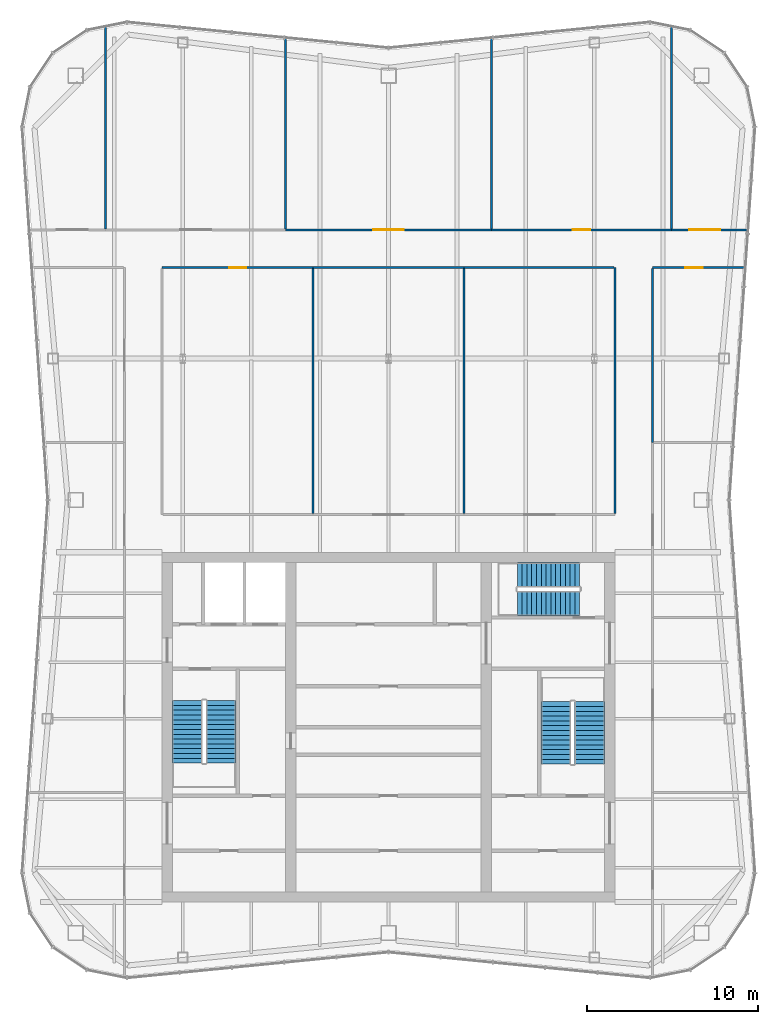
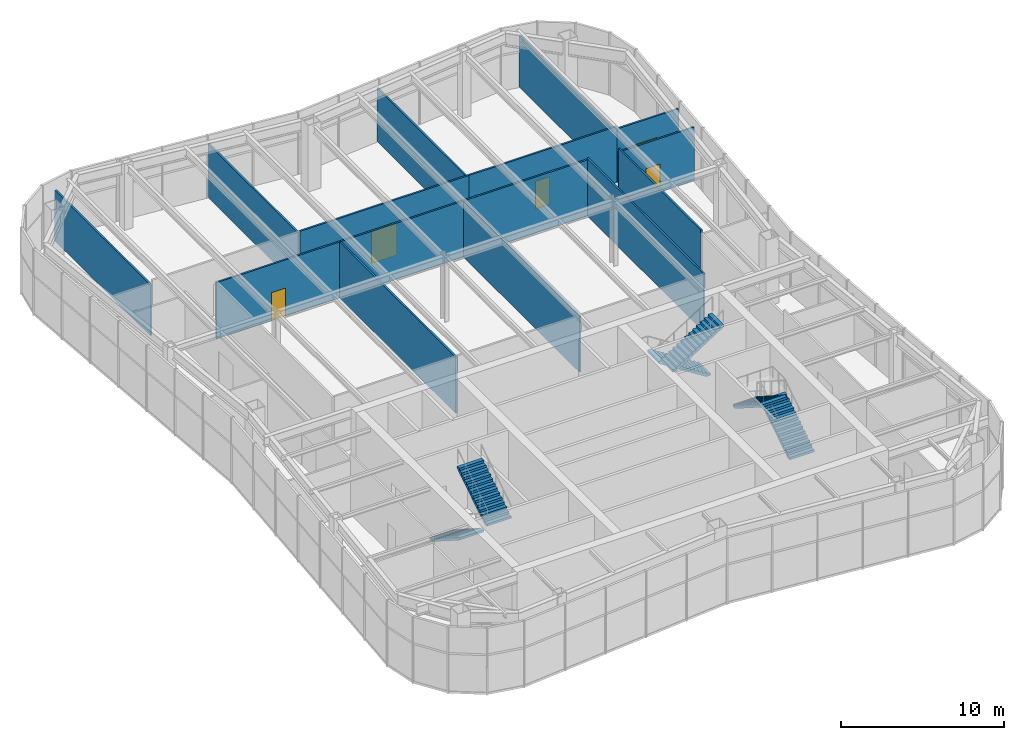
# One storey, part 11 of 13: 15 walls, 6 stair flights, 5 doors, 5 openings, 3 elements without a shape of their own.
"""IFC4 building model written with IfcOpenShell, lengths in metres."""

from ifc_helpers import new_model, si_unit, direction, frame, frame_2d, origin, place, context, subcontext, project, spatial, polyline, rectangle, outline, extrude, material, layer, layer_set, type_object, element, fill, aggregate, save


model = new_model("IFC4")

# Units and contexts
model_context = context("Model", 3, precision=1e-05, world=origin(), true_north=direction((0.0, 1.0)))
body_context = subcontext(model_context, "Body", "Model", "MODEL_VIEW")
ifc_project = project(units=[si_unit("LENGTHUNIT", "METRE"), si_unit("AREAUNIT", "SQUARE_METRE"), si_unit("VOLUMEUNIT", "CUBIC_METRE"), si_unit("PLANEANGLEUNIT", "RADIAN"), si_unit("MASSUNIT", "GRAM", prefix="KILO")], contexts=[model_context])

# Site, building, storey
site_placement = place(None, origin())
site = spatial("IfcSite", under=ifc_project, at=site_placement, CompositionType="ELEMENT")
building_placement = place(site_placement, origin())
building = spatial("IfcBuilding", under=site, at=building_placement, Name="Verdant Reach Tower", CompositionType="ELEMENT")
storey_placement = place(building_placement, frame((0.0, 0.0, 354.5)))
storey = spatial("IfcBuildingStorey", under=building, at=storey_placement, Name="L80 Plant", CompositionType="ELEMENT", Elevation=354.5)

# Wall, opening, door
ifc_material_1 = material(Name="Gypsum board on steel studs, fire rated", Category="steel")
ifc_layer = layer(ifc_material_1, 0.125)
ifc_layer_set = layer_set([ifc_layer], Name="SV-W2 Plant wall 125 EI 60")
wall_type = type_object("IfcWallType", Name="SV-W2 Plant wall 125 EI 60", PredefinedType="PARTITIONING", material=ifc_layer_set)
wall_1_placement = place(storey_placement, frame((-4.39990234375, 54.800048828125, 0.0), z_axis=(0.0, 0.0, 1.0), x_axis=(-1.0, 0.0, 0.0)))
wall_1 = element("IfcWall", 1, at=wall_1_placement, inside=storey, type_object=wall_type, Name="Partition L80.01", PredefinedType="PARTITIONING", context=body_context, shape_type="SweptSolid", body=[
    extrude(rectangle(XDim=8.800048828125, YDim=0.125, at=frame_2d((4.39990234375, 0.0))), origin(), (0.0, 0.0, 1.0), 4.219970703125),
])
opening_1_placement = place(wall_1_placement, frame((3.89990234375, 0.0, 0.0)))
opening_1 = element("IfcOpeningElement", 2, at=opening_1_placement, cuts=wall_1, Name="Opening SD4", PredefinedType="OPENING", context=body_context, shape_type="SweptSolid", body=[
    extrude(rectangle(XDim=1.0, YDim=2.10009765625, at=frame_2d((0.5, 1.050048828125))), frame((0.0, 0.072509765625, 0.0), z_axis=(0.0, -1.0, 0.0), x_axis=(1.0, 0.0, 0.0)), (0.0, 0.0, 1.0), 0.14501953125),
])
ifc_material_2 = material(Name="Steel door leaf, fire rated", Category="steel")
door_type_1 = type_object("IfcDoorType", Name="SV-D4 Door 1000x2100 FD120", OperationType="NOTDEFINED", PredefinedType="DOOR", material=ifc_material_2)
door_1_placement = place(opening_1_placement, origin())
door_1 = element("IfcDoor", 3, at=door_1_placement, inside=storey, type_object=door_type_1, Name="Door L80-001", OperationType="SINGLE_SWING_LEFT", OverallHeight=2.10009765625, OverallWidth=1.0, PredefinedType="DOOR", context=body_context, shape_type="SweptSolid", body=[
    extrude(rectangle(XDim=1.0, YDim=2.10009765625, at=frame_2d((0.5, 1.050048828125))), frame((0.0, 0.02490234375, 0.0), z_axis=(0.0, -1.0, 0.0), x_axis=(1.0, 0.0, 0.0)), (0.0, 0.0, 1.0), 0.050048828125),
])
fill(opening_1, door_1)

# Walls
wall_2_placement = place(storey_placement, frame((4.39990234375, 54.800048828125, 0.0), z_axis=(0.0, 0.0, 1.0), x_axis=(-1.0, 0.0, 0.0)))
element("IfcWall", 4, at=wall_2_placement, inside=storey, type_object=wall_type, Name="Partition L80.05", PredefinedType="PARTITIONING", context=body_context, shape_type="SweptSolid", body=[
    extrude(rectangle(XDim=8.7998046875, YDim=0.125, at=frame_2d((4.39990234375, 0.0))), origin(), (0.0, 0.0, 1.0), 4.219970703125),
])
wall_3_placement = place(storey_placement, frame((13.199951171875, 40.46240234375, 0.0), z_axis=(0.0, 0.0, 1.0), x_axis=(0.0, 1.0, 0.0)))
element("IfcWall", 5, at=wall_3_placement, inside=storey, type_object=wall_type, Name="Partition L80.07", PredefinedType="PARTITIONING", context=body_context, shape_type="SweptSolid", body=[
    extrude(rectangle(XDim=14.337646484375, YDim=0.125, at=frame_2d((7.1689453125, 0.0))), origin(), (0.0, 0.0, 1.0), 4.330078125),
])
wall_4_placement = place(storey_placement, frame((13.137451171875, 54.800048828125, 0.0), z_axis=(0.0, 0.0, 1.0), x_axis=(-1.0, 0.0, 0.0)))
element("IfcWall", 6, at=wall_4_placement, inside=storey, type_object=wall_type, Name="Partition L80.08", PredefinedType="PARTITIONING", context=body_context, shape_type="SweptSolid", body=[
    extrude(rectangle(XDim=8.737548828125, YDim=0.125, at=frame_2d((4.36865234375, 0.0))), origin(), (0.0, 0.0, 1.0), 4.219970703125),
])

# Wall, opening, door
wall_5_placement = place(storey_placement, frame((20.764404296875, 54.800048828125, 0.0), z_axis=(0.0, 0.0, 1.0), x_axis=(-1.0, 0.0, 0.0)))
wall_5 = element("IfcWall", 7, at=wall_5_placement, inside=storey, type_object=wall_type, Name="Partition L80.17", PredefinedType="PARTITIONING", context=body_context, shape_type="SweptSolid", body=[
    extrude(rectangle(XDim=5.364501953125, YDim=0.125, at=frame_2d((2.68212890625, 0.0))), origin(), (0.0, 0.0, 1.0), 4.02001953125),
])
opening_2_placement = place(wall_5_placement, frame((2.447998046875, 0.0, 0.0)))
opening_2 = element("IfcOpeningElement", 8, at=opening_2_placement, cuts=wall_5, Name="Opening SD4", PredefinedType="OPENING", context=body_context, shape_type="SweptSolid", body=[
    extrude(rectangle(XDim=1.0, YDim=2.10009765625, at=frame_2d((0.5, 1.050048828125))), frame((0.0, 0.072509765625, 0.0), z_axis=(0.0, -1.0, 0.0), x_axis=(1.0, 0.0, 0.0)), (0.0, 0.0, 1.0), 0.14501953125),
])
door_2_placement = place(opening_2_placement, origin())
door_2 = element("IfcDoor", 9, at=door_2_placement, inside=storey, type_object=door_type_1, Name="Door L80-011", OperationType="SINGLE_SWING_RIGHT", OverallHeight=2.10009765625, OverallWidth=1.0, PredefinedType="DOOR", context=body_context, shape_type="SweptSolid", body=[
    extrude(rectangle(XDim=1.0, YDim=2.10009765625, at=frame_2d((0.5, 1.050048828125))), frame((0.0, 0.02490234375, 0.0), z_axis=(0.0, -1.0, 0.0), x_axis=(1.0, 0.0, 0.0)), (0.0, 0.0, 1.0), 0.050048828125),
])
fill(opening_2, door_2)

# Wall
wall_6_placement = place(storey_placement, frame((15.39990234375, 54.737548828125, 0.0), z_axis=(0.0, 0.0, 1.0), x_axis=(0.0, -1.0, 0.0)))
element("IfcWall", 10, at=wall_6_placement, inside=storey, type_object=wall_type, Name="Partition L80.18", PredefinedType="PARTITIONING", context=body_context, shape_type="SweptSolid", body=[
    extrude(rectangle(XDim=10.137451171875, YDim=0.125, at=frame_2d((5.06884765625, 0.0))), origin(), (0.0, 0.0, 1.0), 4.330078125),
])

# Wall, opening, door
wall_7_placement = place(storey_placement, frame((6.0, 57.0, 0.0), z_axis=(0.0, 0.0, 1.0), x_axis=(-1.0, 0.0, 0.0)))
wall_7 = element("IfcWall", 11, at=wall_7_placement, inside=storey, type_object=wall_type, Name="Partition L80.21", PredefinedType="PARTITIONING", context=body_context, shape_type="SweptSolid", body=[
    extrude(rectangle(XDim=12.0, YDim=0.125, at=frame_2d((6.0, 0.0))), origin(), (0.0, 0.0, 1.0), 4.219970703125),
])
opening_3_placement = place(wall_7_placement, frame((5.10009765625, 0.0, 0.0)))
opening_3 = element("IfcOpeningElement", 12, at=opening_3_placement, cuts=wall_7, Name="Opening SD3", PredefinedType="OPENING", context=body_context, shape_type="SweptSolid", body=[
    extrude(rectangle(XDim=1.800048828125, YDim=2.39990234375, at=frame_2d((0.89990234375, 1.199951171875))), frame((0.0, 0.072509765625, 0.0), z_axis=(0.0, -1.0, 0.0), x_axis=(1.0, 0.0, 0.0)), (0.0, 0.0, 1.0), 0.14501953125),
])
ifc_material_3 = material(Name="Steel door leaves, fire rated", Category="steel")
door_type_2 = type_object("IfcDoorType", Name="SV-D3 Equipment door 1800x2400 FD60", OperationType="DOUBLE_DOOR_SINGLE_SWING", PredefinedType="DOOR", material=ifc_material_3)
door_3_placement = place(opening_3_placement, origin())
door_3 = element("IfcDoor", 13, at=door_3_placement, inside=storey, type_object=door_type_2, Name="Door L80-014", OperationType="DOUBLE_DOOR_SINGLE_SWING", OverallHeight=2.39990234375, OverallWidth=1.800048828125, PredefinedType="DOOR", context=body_context, shape_type="SweptSolid", body=[
    extrude(rectangle(XDim=1.800048828125, YDim=2.39990234375, at=frame_2d((0.89990234375, 1.199951171875))), frame((0.0, 0.02490234375, 0.0), z_axis=(0.0, -1.0, 0.0), x_axis=(1.0, 0.0, 0.0)), (0.0, 0.0, 1.0), 0.050048828125),
])
fill(opening_3, door_3)

wall_8_placement = place(storey_placement, frame((16.5, 57.0, 0.0), z_axis=(0.0, 0.0, 1.0), x_axis=(-1.0, 0.0, 0.0)))
wall_8 = element("IfcWall", 14, at=wall_8_placement, inside=storey, type_object=wall_type, Name="Partition L80.22", PredefinedType="PARTITIONING", context=body_context, shape_type="SweptSolid", body=[
    extrude(rectangle(XDim=10.5, YDim=0.125, at=frame_2d((5.25, 0.0))), origin(), (0.0, 0.0, 1.0), 4.219970703125),
])
opening_4_placement = place(wall_8_placement, frame((4.75, 0.0, 0.0)))
opening_4 = element("IfcOpeningElement", 15, at=opening_4_placement, cuts=wall_8, Name="Opening SD4", PredefinedType="OPENING", context=body_context, shape_type="SweptSolid", body=[
    extrude(rectangle(XDim=1.0, YDim=2.10009765625, at=frame_2d((0.5, 1.050048828125))), frame((0.0, 0.072509765625, 0.0), z_axis=(0.0, -1.0, 0.0), x_axis=(1.0, 0.0, 0.0)), (0.0, 0.0, 1.0), 0.14501953125),
])
door_4_placement = place(opening_4_placement, origin())
door_4 = element("IfcDoor", 16, at=door_4_placement, inside=storey, type_object=door_type_1, Name="Door L80-015", OperationType="SINGLE_SWING_LEFT", OverallHeight=2.10009765625, OverallWidth=1.0, PredefinedType="DOOR", context=body_context, shape_type="SweptSolid", body=[
    extrude(rectangle(XDim=1.0, YDim=2.10009765625, at=frame_2d((0.5, 1.050048828125))), frame((0.0, 0.02490234375, 0.0), z_axis=(0.0, -1.0, 0.0), x_axis=(1.0, 0.0, 0.0)), (0.0, 0.0, 1.0), 0.050048828125),
])
fill(opening_4, door_4)

wall_9_placement = place(storey_placement, frame((20.916259765625, 57.0, 0.0), z_axis=(0.0, 0.0, 1.0), x_axis=(-1.0, 0.0, 0.0)))
wall_9 = element("IfcWall", 17, at=wall_9_placement, inside=storey, type_object=wall_type, Name="Partition L80.23", PredefinedType="PARTITIONING", context=body_context, shape_type="SweptSolid", body=[
    extrude(rectangle(XDim=4.416259765625, YDim=0.125, at=frame_2d((2.2080078125, 0.0))), origin(), (0.0, 0.0, 1.0), 4.02001953125),
])
opening_5_placement = place(wall_9_placement, frame((1.57373046875, 0.0, 0.0)))
opening_5 = element("IfcOpeningElement", 18, at=opening_5_placement, cuts=wall_9, Name="Opening SD3", PredefinedType="OPENING", context=body_context, shape_type="SweptSolid", body=[
    extrude(rectangle(XDim=1.800048828125, YDim=2.39990234375, at=frame_2d((0.89990234375, 1.199951171875))), frame((0.0, 0.072509765625, 0.0), z_axis=(0.0, -1.0, 0.0), x_axis=(1.0, 0.0, 0.0)), (0.0, 0.0, 1.0), 0.14501953125),
])
door_5_placement = place(opening_5_placement, origin())
door_5 = element("IfcDoor", 19, at=door_5_placement, inside=storey, type_object=door_type_2, Name="Door L80-016", OperationType="DOUBLE_DOOR_SINGLE_SWING", OverallHeight=2.39990234375, OverallWidth=1.800048828125, PredefinedType="DOOR", context=body_context, shape_type="SweptSolid", body=[
    extrude(rectangle(XDim=1.800048828125, YDim=2.39990234375, at=frame_2d((0.89990234375, 1.199951171875))), frame((0.0, 0.02490234375, 0.0), z_axis=(0.0, -1.0, 0.0), x_axis=(1.0, 0.0, 0.0)), (0.0, 0.0, 1.0), 0.050048828125),
])
fill(opening_5, door_5)

# Walls
for number, where, z_axis, x_axis, name in (
    (20, (-4.39990234375, 54.737548828125, 0.0), (0.0, 0.0, 1.0), (0.0, -1.0, 0.0), "Partition L80.24"),
    (21, (4.39990234375, 54.737548828125, 0.0), (0.0, 0.0, 1.0), (0.0, -1.0, 0.0), "Partition L80.25"),
):
    element("IfcWall", number, at=place(storey_placement, frame(where, z_axis=z_axis, x_axis=x_axis)), inside=storey, type_object=wall_type, Name=name, PredefinedType="PARTITIONING", context=body_context, shape_type="SweptSolid", body=[
        extrude(rectangle(XDim=14.275146484375, YDim=0.125, at=frame_2d((7.1376953125, 0.0))), origin(), (0.0, 0.0, 1.0), 4.219970703125),
    ])
wall_10_placement = place(storey_placement, frame((-16.5, 68.831298828125, 0.0), z_axis=(0.0, 0.0, 1.0), x_axis=(0.0, -1.0, 0.0)))
element("IfcWall", 22, at=wall_10_placement, inside=storey, type_object=wall_type, Name="Partition L80.32", PredefinedType="PARTITIONING", context=body_context, shape_type="SweptSolid", body=[
    extrude(rectangle(XDim=11.768798828125, YDim=0.125, at=frame_2d((5.88427734375, 0.0))), origin(), (0.0, 0.0, 1.0), 3.81201171875),
])
for number, where, z_axis, x_axis, name in (
    (23, (-6.0, 68.170166015625, 0.0), (0.0, 0.0, 1.0), (0.0, -1.0, 0.0), "Partition L80.33"),
    (24, (6.0, 68.170166015625, 0.0), (0.0, 0.0, 1.0), (0.0, -1.0, 0.0), "Partition L80.34"),
):
    element("IfcWall", number, at=place(storey_placement, frame(where, z_axis=z_axis, x_axis=x_axis)), inside=storey, type_object=wall_type, Name=name, PredefinedType="PARTITIONING", context=body_context, shape_type="SweptSolid", body=[
        extrude(rectangle(XDim=11.107666015625, YDim=0.125, at=frame_2d((5.5537109375, 0.0))), origin(), (0.0, 0.0, 1.0), 4.02001953125),
    ])
wall_11_placement = place(storey_placement, frame((16.5, 68.831298828125, 0.0), z_axis=(0.0, 0.0, 1.0), x_axis=(0.0, -1.0, 0.0)))
element("IfcWall", 25, at=wall_11_placement, inside=storey, type_object=wall_type, Name="Partition L80.35", PredefinedType="PARTITIONING", context=body_context, shape_type="SweptSolid", body=[
    extrude(rectangle(XDim=11.768798828125, YDim=0.125, at=frame_2d((5.88427734375, 0.0))), origin(), (0.0, 0.0, 1.0), 3.81201171875),
])

# Stair, stair flights
ifc_material_4 = material(Name="Concrete C40/50", Category="concrete")
stair_type = type_object("IfcStairType", Name="CO-STAIR", PredefinedType="HALF_TURN_STAIR", material=ifc_material_4)
stair_1_placement = place(storey_placement, origin())
stair_1 = element("IfcStair", 26, at=stair_1_placement, inside=storey, type_object=stair_type, Name="L80 Plant Exit stair 1", PredefinedType="HALF_TURN_STAIR")
stair_flight_type = type_object("IfcStairFlightType", Name="CO-STAIR-FLIGHT", PredefinedType="STRAIGHT", material=ifc_material_4)
stair_flight_1_placement = place(storey_placement, frame((-11.72509765625, 29.550048828125, 0.0), z_axis=(0.0, 0.0, 1.0), x_axis=(0.0, -1.0, 0.0)))
stair_flight_1 = element("IfcStairFlight", 27, at=stair_flight_1_placement, type_object=stair_flight_type, Name="ST-1 flight 1", NumberOfRisers=14, NumberOfTreads=13, PredefinedType="STRAIGHT", RiserHeight=0.178571429, TreadLength=0.28, context=body_context, shape_type="SweptSolid", body=[
    extrude(outline(polyline([(0.0, 0.0), (0.0, 0.178466796875), (0.280029296875, 0.178466796875), (0.280029296875, 0.357177734375), (0.56005859375, 0.357177734375), (0.56005859375, 0.53564453125), (0.840087890625, 0.53564453125), (0.840087890625, 0.71435546875), (1.1201171875, 0.71435546875), (1.1201171875, 0.892822265625), (1.39990234375, 0.892822265625), (1.39990234375, 1.071533203125), (1.679931640625, 1.071533203125), (1.679931640625, 1.25), (1.9599609375, 1.25), (1.9599609375, 1.428466796875), (2.239990234375, 1.428466796875), (2.239990234375, 1.607177734375), (2.52001953125, 1.607177734375), (2.52001953125, 1.78564453125), (2.800048828125, 1.78564453125), (2.800048828125, 1.96435546875), (3.080078125, 1.96435546875), (3.080078125, 2.142822265625), (3.360107421875, 2.142822265625), (3.360107421875, 2.321533203125), (3.639892578125, 2.321533203125), (3.639892578125, 2.5), (3.639892578125, 2.1435546875), (0.27880859375, 0.0), (0.0, 0.0)])), frame((0.0, 0.875, 0.0), z_axis=(0.0, -1.0, 0.0), x_axis=(1.0, 0.0, 0.0)), (0.0, 0.0, 1.0), 1.75),
])
stair_flight_2_placement = place(storey_placement, frame((-9.77490234375, 25.909912109375, 2.5), z_axis=(0.0, 0.0, 1.0), x_axis=(0.0, 1.0, 0.0)))
stair_flight_2 = element("IfcStairFlight", 28, at=stair_flight_2_placement, type_object=stair_flight_type, Name="ST-1 flight 2", NumberOfRisers=14, NumberOfTreads=13, PredefinedType="STRAIGHT", RiserHeight=0.178571429, TreadLength=0.28, context=body_context, shape_type="SweptSolid", body=[
    extrude(outline(polyline([(0.0, 0.0), (0.0, 0.178466796875), (0.280029296875, 0.178466796875), (0.280029296875, 0.357177734375), (0.56005859375, 0.357177734375), (0.56005859375, 0.53564453125), (0.840087890625, 0.53564453125), (0.840087890625, 0.71435546875), (1.1201171875, 0.71435546875), (1.1201171875, 0.892822265625), (1.39990234375, 0.892822265625), (1.39990234375, 1.071533203125), (1.679931640625, 1.071533203125), (1.679931640625, 1.25), (1.9599609375, 1.25), (1.9599609375, 1.428466796875), (2.239990234375, 1.428466796875), (2.239990234375, 1.607177734375), (2.52001953125, 1.607177734375), (2.52001953125, 1.78564453125), (2.800048828125, 1.78564453125), (2.800048828125, 1.96435546875), (3.080078125, 1.96435546875), (3.080078125, 2.142822265625), (3.360107421875, 2.142822265625), (3.360107421875, 2.321533203125), (3.639892578125, 2.321533203125), (3.639892578125, 2.5), (3.639892578125, 2.1435546875), (0.27880859375, 0.0), (0.0, 0.0)])), frame((0.0, 0.875, 0.0), z_axis=(0.0, -1.0, 0.0), x_axis=(1.0, 0.0, 0.0)), (0.0, 0.0, 1.0), 1.75),
])
aggregate(stair_1, [stair_flight_1, stair_flight_2])

stair_2_placement = place(storey_placement, origin())
stair_2 = element("IfcStair", 29, at=stair_2_placement, inside=storey, type_object=stair_type, Name="L80 Plant Exit stair 2", PredefinedType="HALF_TURN_STAIR")
stair_flight_3_placement = place(storey_placement, frame((11.72509765625, 25.85009765625, 0.0), z_axis=(0.0, 0.0, 1.0), x_axis=(0.0, 1.0, 0.0)))
stair_flight_3 = element("IfcStairFlight", 30, at=stair_flight_3_placement, type_object=stair_flight_type, Name="ST-2 flight 1", NumberOfRisers=14, NumberOfTreads=13, PredefinedType="STRAIGHT", RiserHeight=0.178571429, TreadLength=0.28, context=body_context, shape_type="SweptSolid", body=[
    extrude(outline(polyline([(0.0, 0.0), (0.0, 0.178466796875), (0.280029296875, 0.178466796875), (0.280029296875, 0.357177734375), (0.56005859375, 0.357177734375), (0.56005859375, 0.53564453125), (0.840087890625, 0.53564453125), (0.840087890625, 0.71435546875), (1.1201171875, 0.71435546875), (1.1201171875, 0.892822265625), (1.39990234375, 0.892822265625), (1.39990234375, 1.071533203125), (1.679931640625, 1.071533203125), (1.679931640625, 1.25), (1.9599609375, 1.25), (1.9599609375, 1.428466796875), (2.239990234375, 1.428466796875), (2.239990234375, 1.607177734375), (2.52001953125, 1.607177734375), (2.52001953125, 1.78564453125), (2.800048828125, 1.78564453125), (2.800048828125, 1.96435546875), (3.080078125, 1.96435546875), (3.080078125, 2.142822265625), (3.360107421875, 2.142822265625), (3.360107421875, 2.321533203125), (3.639892578125, 2.321533203125), (3.639892578125, 2.5), (3.639892578125, 2.1435546875), (0.27880859375, 0.0), (0.0, 0.0)])), frame((0.0, 0.875, 0.0), z_axis=(0.0, -1.0, 0.0), x_axis=(1.0, 0.0, 0.0)), (0.0, 0.0, 1.0), 1.75),
])
stair_flight_4_placement = place(storey_placement, frame((9.77490234375, 29.489990234375, 2.5), z_axis=(0.0, 0.0, 1.0), x_axis=(0.0, -1.0, 0.0)))
stair_flight_4 = element("IfcStairFlight", 31, at=stair_flight_4_placement, type_object=stair_flight_type, Name="ST-2 flight 2", NumberOfRisers=14, NumberOfTreads=13, PredefinedType="STRAIGHT", RiserHeight=0.178571429, TreadLength=0.28, context=body_context, shape_type="SweptSolid", body=[
    extrude(outline(polyline([(0.0, 0.0), (0.0, 0.178466796875), (0.280029296875, 0.178466796875), (0.280029296875, 0.357177734375), (0.56005859375, 0.357177734375), (0.56005859375, 0.53564453125), (0.840087890625, 0.53564453125), (0.840087890625, 0.71435546875), (1.1201171875, 0.71435546875), (1.1201171875, 0.892822265625), (1.39990234375, 0.892822265625), (1.39990234375, 1.071533203125), (1.679931640625, 1.071533203125), (1.679931640625, 1.25), (1.9599609375, 1.25), (1.9599609375, 1.428466796875), (2.239990234375, 1.428466796875), (2.239990234375, 1.607177734375), (2.52001953125, 1.607177734375), (2.52001953125, 1.78564453125), (2.800048828125, 1.78564453125), (2.800048828125, 1.96435546875), (3.080078125, 1.96435546875), (3.080078125, 2.142822265625), (3.360107421875, 2.142822265625), (3.360107421875, 2.321533203125), (3.639892578125, 2.321533203125), (3.639892578125, 2.5), (3.639892578125, 2.1435546875), (0.27880859375, 0.0), (0.0, 0.0)])), frame((0.0, 0.875, 0.0), z_axis=(0.0, -1.0, 0.0), x_axis=(1.0, 0.0, 0.0)), (0.0, 0.0, 1.0), 1.75),
])
aggregate(stair_2, [stair_flight_3, stair_flight_4])

stair_3_placement = place(storey_placement, origin())
stair_3 = element("IfcStair", 32, at=stair_3_placement, inside=storey, type_object=stair_type, Name="L80 Plant Exit stair 3", PredefinedType="HALF_TURN_STAIR")
stair_flight_5_placement = place(storey_placement, frame((11.14990234375, 36.875, 0.0), z_axis=(0.0, 0.0, 1.0), x_axis=(-1.0, 0.0, 0.0)))
stair_flight_5 = element("IfcStairFlight", 33, at=stair_flight_5_placement, type_object=stair_flight_type, Name="ST-3 flight 1", NumberOfRisers=14, NumberOfTreads=13, PredefinedType="STRAIGHT", RiserHeight=0.178571429, TreadLength=0.28, context=body_context, shape_type="SweptSolid", body=[
    extrude(outline(polyline([(0.0, 0.0), (0.0, 0.178466796875), (0.280029296875, 0.178466796875), (0.280029296875, 0.357177734375), (0.56005859375, 0.357177734375), (0.56005859375, 0.53564453125), (0.840087890625, 0.53564453125), (0.840087890625, 0.71435546875), (1.1201171875, 0.71435546875), (1.1201171875, 0.892822265625), (1.39990234375, 0.892822265625), (1.39990234375, 1.071533203125), (1.679931640625, 1.071533203125), (1.679931640625, 1.25), (1.9599609375, 1.25), (1.9599609375, 1.428466796875), (2.239990234375, 1.428466796875), (2.239990234375, 1.607177734375), (2.52001953125, 1.607177734375), (2.52001953125, 1.78564453125), (2.800048828125, 1.78564453125), (2.800048828125, 1.96435546875), (3.080078125, 1.96435546875), (3.080078125, 2.142822265625), (3.360107421875, 2.142822265625), (3.360107421875, 2.321533203125), (3.639892578125, 2.321533203125), (3.639892578125, 2.5), (3.639892578125, 2.1435546875), (0.27880859375, 0.0), (0.0, 0.0)])), frame((0.0, 0.72509765625, 0.0), z_axis=(0.0, -1.0, 0.0), x_axis=(1.0, 0.0, 0.0)), (0.0, 0.0, 1.0), 1.449951171875),
])
stair_flight_6_placement = place(storey_placement, frame((7.510009765625, 35.22509765625, 2.5), z_axis=(0.0, 0.0, 1.0), x_axis=(1.0, 0.0, 0.0)))
stair_flight_6 = element("IfcStairFlight", 34, at=stair_flight_6_placement, type_object=stair_flight_type, Name="ST-3 flight 2", NumberOfRisers=14, NumberOfTreads=13, PredefinedType="STRAIGHT", RiserHeight=0.178571429, TreadLength=0.28, context=body_context, shape_type="SweptSolid", body=[
    extrude(outline(polyline([(0.0, 0.0), (0.0, 0.178466796875), (0.280029296875, 0.178466796875), (0.280029296875, 0.357177734375), (0.56005859375, 0.357177734375), (0.56005859375, 0.53564453125), (0.840087890625, 0.53564453125), (0.840087890625, 0.71435546875), (1.1201171875, 0.71435546875), (1.1201171875, 0.892822265625), (1.39990234375, 0.892822265625), (1.39990234375, 1.071533203125), (1.679931640625, 1.071533203125), (1.679931640625, 1.25), (1.9599609375, 1.25), (1.9599609375, 1.428466796875), (2.239990234375, 1.428466796875), (2.239990234375, 1.607177734375), (2.52001953125, 1.607177734375), (2.52001953125, 1.78564453125), (2.800048828125, 1.78564453125), (2.800048828125, 1.96435546875), (3.080078125, 1.96435546875), (3.080078125, 2.142822265625), (3.360107421875, 2.142822265625), (3.360107421875, 2.321533203125), (3.639892578125, 2.321533203125), (3.639892578125, 2.5), (3.639892578125, 2.1435546875), (0.27880859375, 0.0), (0.0, 0.0)])), frame((0.0, 0.72509765625, 0.0), z_axis=(0.0, -1.0, 0.0), x_axis=(1.0, 0.0, 0.0)), (0.0, 0.0, 1.0), 1.449951171875),
])
aggregate(stair_3, [stair_flight_5, stair_flight_6])

save(model, "model.ifc")
